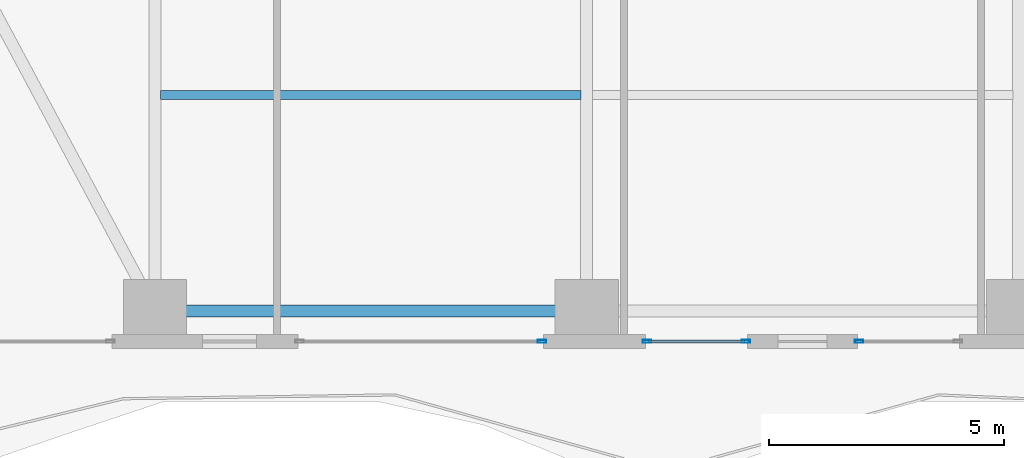
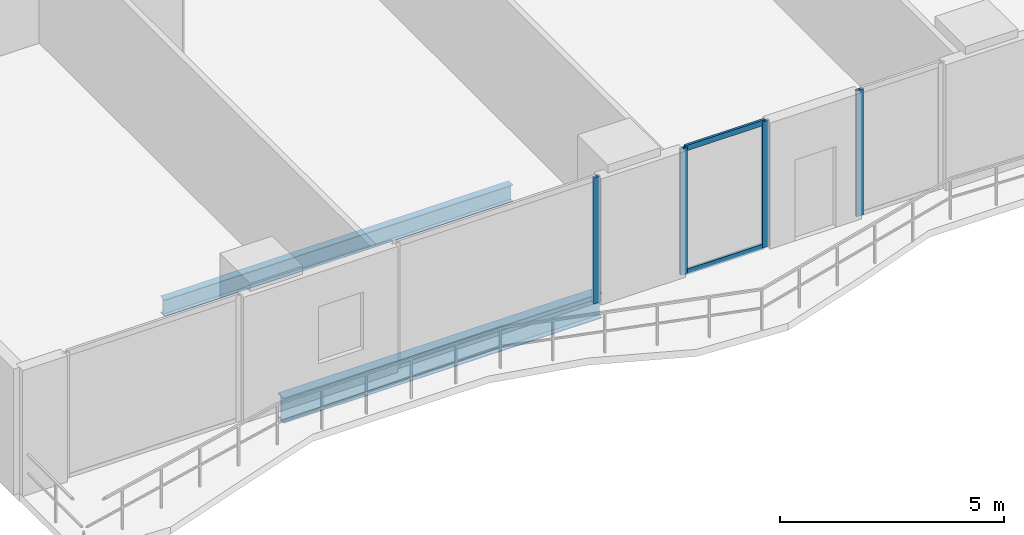
# One storey, part 4 of 27: 6 members, 2 beams, 3 elements without a shape of their own.
"""IFC4 building model written with IfcOpenShell, lengths in metres."""

from ifc_helpers import new_model, si_unit, direction, frame, origin, origin_2d, place, context, subcontext, project, spatial, hollow_rectangle, i_section, extrude, material, layer, layer_set, material_profile, profile_set, type_object, element, aggregate, save


model = new_model("IFC4")

# Units and contexts
model_context = context("Model", 3, precision=1e-05, world=origin(), true_north=direction((0.0, 1.0)))
body_context = subcontext(model_context, "Body", "Model", "MODEL_VIEW")
ifc_project = project(units=[si_unit("LENGTHUNIT", "METRE"), si_unit("AREAUNIT", "SQUARE_METRE"), si_unit("VOLUMEUNIT", "CUBIC_METRE"), si_unit("PLANEANGLEUNIT", "RADIAN"), si_unit("MASSUNIT", "GRAM", prefix="KILO")], contexts=[model_context])

# Site, building, storey
site_placement = place(None, origin())
site = spatial("IfcSite", under=ifc_project, at=site_placement, CompositionType="ELEMENT")
building_placement = place(site_placement, origin())
building = spatial("IfcBuilding", under=site, at=building_placement, Name="Zuhayl Quay Hotel", CompositionType="ELEMENT")
storey_placement = place(building_placement, frame((0.0, 0.0, 102.949951171875)))
storey = spatial("IfcBuildingStorey", under=building, at=storey_placement, Name="L25", CompositionType="ELEMENT", Elevation=102.949951171875)

# Beams
ifc_material_1 = material(Name="Steel ASTM A992 Grade 50", Category="steel")
ifc_material_profile_1 = material_profile(ifc_material_1, i_section(OverallWidth=0.25390625, OverallDepth=0.68310546875, WebThickness=0.012451171875, FlangeThickness=0.018798828125, at=origin_2d()), Name="W27X94")
ifc_profile_set_1 = profile_set([ifc_material_profile_1], Name="Steel ASTM A992 Grade 50")
beam_type_1 = type_object("IfcBeamType", Name="BM_B2_W27X94", PredefinedType="BEAM", material=ifc_profile_set_1)
beam_1_placement = place(storey_placement, frame((-13.300048828125, -14.75, -0.5615234375), z_axis=(1.0, 0.0, 0.0), x_axis=(0.0, 1.0, 0.0)))
element("IfcBeam", 1, at=beam_1_placement, inside=storey, type_object=beam_type_1, Name="L25 Floor Beam RG_L25_01", PredefinedType="BEAM", context=body_context, shape_type="SweptSolid", body=[
    extrude(i_section(OverallWidth=0.25390625, OverallDepth=0.68310546875, WebThickness=0.012451171875, FlangeThickness=0.018798828125, at=origin_2d()), origin(), (0.0, 0.0, 1.0), 8.199951171875),
])
ifc_material_profile_2 = material_profile(ifc_material_1, i_section(OverallWidth=0.18994140625, OverallDepth=0.45703125, WebThickness=0.009033203125, FlangeThickness=0.014404296875, at=origin_2d()), Name="W18X50")
ifc_profile_set_2 = profile_set([ifc_material_profile_2], Name="Steel ASTM A992 Grade 50")
beam_type_2 = type_object("IfcBeamType", Name="BM_J2_W18X50", PredefinedType="JOIST", material=ifc_profile_set_2)
beam_2_placement = place(storey_placement, frame((-13.680908203125, -10.14990234375, -0.448486328125), z_axis=(1.0, 0.0, 0.0), x_axis=(0.0, 1.0, 0.0)))
element("IfcBeam", 2, at=beam_2_placement, inside=storey, type_object=beam_type_2, Name="L25 Floor Beam FJ_L25_5_1", PredefinedType="JOIST", context=body_context, shape_type="SweptSolid", body=[
    extrude(i_section(OverallWidth=0.18994140625, OverallDepth=0.45703125, WebThickness=0.009033203125, FlangeThickness=0.014404296875, at=origin_2d()), origin(), (0.0, 0.0, 1.0), 8.9619140625),
])

# Curtain wall, member
ifc_material_2 = material(Name="Anodised Aluminium 6063-T6", Category="aluminium")
ifc_layer = layer(ifc_material_2, 0.179931640625, Name="Anodised Aluminium 6063-T6", Category="aluminium")
ifc_layer_set = layer_set([ifc_layer], Name="Anodised Aluminium 6063-T6")
curtain_wall_type = type_object("IfcCurtainWallType", Name="CW_SYS_Z2", PredefinedType="USERDEFINED", material=ifc_layer_set)
curtain_wall_1_placement = place(storey_placement, origin())
curtain_wall_1 = element("IfcCurtainWall", 3, at=curtain_wall_1_placement, inside=storey, type_object=curtain_wall_type, Name="L25 Curtain Wall ENV_L25_S_CW3", ObjectType="UNITISED CURTAIN WALL", PredefinedType="USERDEFINED")
ifc_material_3 = material(Name="Black-anodised aluminium 6063-T6", Category="aluminium")
ifc_material_profile_3 = material_profile(ifc_material_3, hollow_rectangle(XDim=0.06494140625, YDim=0.179931640625, WallThickness=0.00341796875, at=origin_2d()), Name="ALU180X65")
ifc_profile_set_3 = profile_set([ifc_material_profile_3], Name="Black-anodised aluminium 6063-T6")
member_type_1 = type_object("IfcMemberType", Name="MB_CW_MUL_180", PredefinedType="MULLION", material=ifc_profile_set_3)
member_1_placement = place(storey_placement, frame((1.20751953125, -15.39990234375, 0.0), z_axis=(0.0, 0.0, 1.0), x_axis=(0.0, -1.0, 0.0)))
member_1 = element("IfcMember", 4, at=member_1_placement, type_object=member_type_1, Name="CW-Z2 mullion 2", PredefinedType="MULLION", context=body_context, shape_type="SweptSolid", body=[
    extrude(hollow_rectangle(XDim=0.06494140625, YDim=0.179931640625, WallThickness=0.00341796875, at=origin_2d()), origin(), (0.0, 0.0, 1.0), 3.429931640625),
])
aggregate(curtain_wall_1, [member_1])

# Curtain wall, members
curtain_wall_2_placement = place(storey_placement, origin())
curtain_wall_2 = element("IfcCurtainWall", 5, at=curtain_wall_2_placement, inside=storey, type_object=curtain_wall_type, Name="L25 Curtain Wall ENV_L25_S_CW4", ObjectType="UNITISED CURTAIN WALL", PredefinedType="USERDEFINED")
member_2_placement = place(storey_placement, frame((-1.20751953125, -15.39990234375, 0.0), z_axis=(0.0, 0.0, 1.0), x_axis=(0.0, -1.0, 0.0)))
member_2 = element("IfcMember", 6, at=member_2_placement, type_object=member_type_1, Name="CW-Z2 mullion 1", PredefinedType="MULLION", context=body_context, shape_type="SweptSolid", body=[
    extrude(hollow_rectangle(XDim=0.06494140625, YDim=0.179931640625, WallThickness=0.00341796875, at=origin_2d()), origin(), (0.0, 0.0, 1.0), 3.429931640625),
])
member_3_placement = place(storey_placement, frame((-3.3173828125, -15.39990234375, 0.0), z_axis=(0.0, 0.0, 1.0), x_axis=(0.0, -1.0, 0.0)))
member_3 = element("IfcMember", 7, at=member_3_placement, type_object=member_type_1, Name="CW-Z2 mullion 2", PredefinedType="MULLION", context=body_context, shape_type="SweptSolid", body=[
    extrude(hollow_rectangle(XDim=0.06494140625, YDim=0.179931640625, WallThickness=0.00341796875, at=origin_2d()), origin(), (0.0, 0.0, 1.0), 3.429931640625),
])

# Curtain wall, member
curtain_wall_3_placement = place(storey_placement, origin())
curtain_wall_3 = element("IfcCurtainWall", 8, at=curtain_wall_3_placement, inside=storey, type_object=curtain_wall_type, Name="L25 Curtain Wall ENV_L25_S_CW5", ObjectType="UNITISED CURTAIN WALL", PredefinedType="USERDEFINED")
member_4_placement = place(storey_placement, frame((-5.552490234375, -15.39990234375, 0.0), z_axis=(0.0, 0.0, 1.0), x_axis=(0.0, -1.0, 0.0)))
member_4 = element("IfcMember", 9, at=member_4_placement, type_object=member_type_1, Name="CW-Z2 mullion 1", PredefinedType="MULLION", context=body_context, shape_type="SweptSolid", body=[
    extrude(hollow_rectangle(XDim=0.06494140625, YDim=0.179931640625, WallThickness=0.00341796875, at=origin_2d()), origin(), (0.0, 0.0, 1.0), 3.429931640625),
])
aggregate(curtain_wall_3, [member_4])

# Member
ifc_material_profile_4 = material_profile(ifc_material_3, hollow_rectangle(XDim=0.06005859375, YDim=0.14990234375, WallThickness=0.00341796875, at=origin_2d()), Name="ALU150X60")
ifc_profile_set_4 = profile_set([ifc_material_profile_4], Name="Black-anodised aluminium 6063-T6")
member_type_2 = type_object("IfcMemberType", Name="MB_CW_TRN_150", PredefinedType="USERDEFINED", material=ifc_profile_set_4)
member_5_placement = place(storey_placement, frame((-1.239990234375, -15.39990234375, 0.030029296875), z_axis=(-1.0, 0.0, 0.0), x_axis=(0.0, -1.0, 0.0)))
member_5 = element("IfcMember", 10, at=member_5_placement, type_object=member_type_2, Name="CW-Z2 transom 1.1", ObjectType="TRANSOM", PredefinedType="USERDEFINED", context=body_context, shape_type="SweptSolid", body=[
    extrude(hollow_rectangle(XDim=0.06005859375, YDim=0.14990234375, WallThickness=0.00341796875, at=origin_2d()), origin(), (0.0, 0.0, 1.0), 2.044921875),
])

member_6_placement = place(storey_placement, frame((-1.239990234375, -15.39990234375, 3.400146484375), z_axis=(-1.0, 0.0, 0.0), x_axis=(0.0, -1.0, 0.0)))
member_6 = element("IfcMember", 11, at=member_6_placement, type_object=member_type_2, Name="CW-Z2 transom 1.2", ObjectType="TRANSOM", PredefinedType="USERDEFINED", context=body_context, shape_type="SweptSolid", body=[
    extrude(hollow_rectangle(XDim=0.06005859375, YDim=0.14990234375, WallThickness=0.00341796875, at=origin_2d()), origin(), (0.0, 0.0, 1.0), 2.044921875),
])

aggregate(curtain_wall_2, [member_2, member_3, member_5, member_6])

save(model, "model.ifc")
